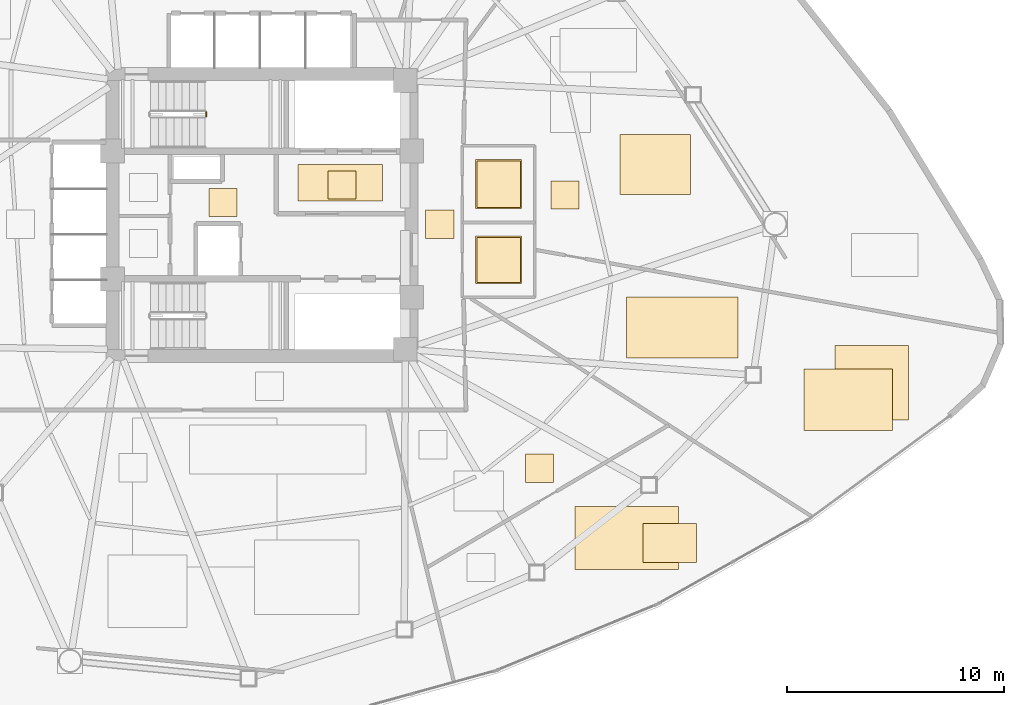
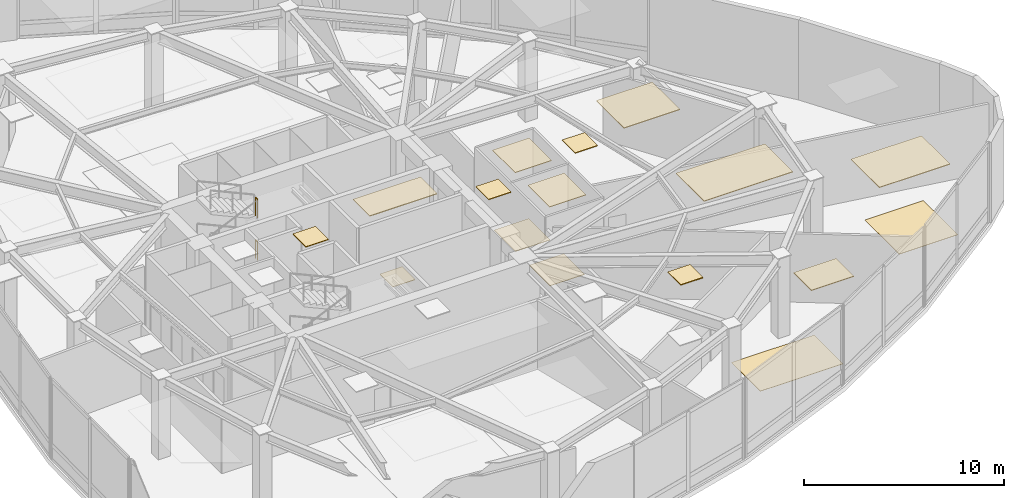
# One storey, part 13 of 14: 16 coverings, 2 railings.
"""IFC4 building model written with IfcOpenShell, lengths in metres."""

from ifc_helpers import new_model, si_unit, direction, frame, origin, origin_2d, place, context, subcontext, project, spatial, polyline, rectangle, outline, extrude, material, layer, layer_set, type_object, element, save


model = new_model("IFC4")

# Units and contexts
model_context = context("Model", 3, precision=1e-05, world=origin(), true_north=direction((0.0, 1.0)))
body_context = subcontext(model_context, "Body", "Model", "MODEL_VIEW")
ifc_project = project(units=[si_unit("LENGTHUNIT", "METRE"), si_unit("AREAUNIT", "SQUARE_METRE"), si_unit("VOLUMEUNIT", "CUBIC_METRE"), si_unit("PLANEANGLEUNIT", "RADIAN"), si_unit("MASSUNIT", "GRAM", prefix="KILO")], contexts=[model_context])

# Site, building, storey
site_placement = place(None, origin())
site = spatial("IfcSite", under=ifc_project, at=site_placement, CompositionType="ELEMENT")
building_placement = place(site_placement, origin())
building = spatial("IfcBuilding", under=site, at=building_placement, Name="Tavelor Broadcast Tower", CompositionType="ELEMENT")
storey_placement = place(building_placement, frame((0.0, 0.0, 110.39990234375)))
storey = spatial("IfcBuildingStorey", under=building, at=storey_placement, Name="L25", CompositionType="ELEMENT", Elevation=110.39990234375)

# Coverings
ifc_material_1 = material(Name="Copper-Bronze Anodized Aluminium", Category="aluminium")
ifc_layer_1 = layer(ifc_material_1, 0.044921875)
ifc_layer_set_1 = layer_set([ifc_layer_1], Name="Copper-Bronze Anodized Aluminium")
covering_type_1 = type_object("IfcCoveringType", Name="Anodised Bronze Linear Slatted Concourse Ceiling 45 mm", PredefinedType="CEILING", material=ifc_layer_set_1)
covering_1_placement = place(storey_placement, frame((0.0, 0.0, 4.85498046875)))
element("IfcCovering", 1, at=covering_1_placement, inside=storey, type_object=covering_type_1, Name="L25 Suspended Acoustic Ceiling 0967", PredefinedType="CEILING", context=body_context, shape_type="SweptSolid", body=[
    extrude(outline(polyline([(51.659912109375, 45.654296875), (55.55712890625, 45.654296875), (55.55712890625, 47.331787109375), (51.659912109375, 47.331787109375), (51.659912109375, 45.654296875)])), origin(), (0.0, 0.0, 1.0), 0.045166015625),
])
covering_2_placement = place(storey_placement, frame((0.0, 0.0, 4.85498046875)))
element("IfcCovering", 2, at=covering_2_placement, inside=storey, type_object=covering_type_1, Name="L25 Suspended Acoustic Ceiling 0968", PredefinedType="CEILING", context=body_context, shape_type="SweptSolid", body=[
    extrude(outline(polyline([(47.5400390625, 44.919921875), (48.840087890625, 44.919921875), (48.840087890625, 46.219970703125), (47.5400390625, 46.219970703125), (47.5400390625, 44.919921875)])), origin(), (0.0, 0.0, 1.0), 0.045166015625),
])
covering_3_placement = place(storey_placement, frame((0.0, 0.0, 4.85498046875)))
element("IfcCovering", 3, at=covering_3_placement, inside=storey, type_object=covering_type_1, Name="L25 Suspended Acoustic Ceiling 0971", PredefinedType="CEILING", context=body_context, shape_type="SweptSolid", body=[
    extrude(outline(polyline([(57.5400390625, 43.925048828125), (58.840087890625, 43.925048828125), (58.840087890625, 45.22509765625), (57.5400390625, 45.22509765625), (57.5400390625, 43.925048828125)])), origin(), (0.0, 0.0, 1.0), 0.045166015625),
])
ifc_material_2 = material(Name="Acoustic Nylon Carpet Tile")
ifc_layer_2 = layer(ifc_material_2, 0.02001953125)
ifc_layer_set_2 = layer_set([ifc_layer_2], Name="Acoustic Nylon Carpet Tile")
covering_type_2 = type_object("IfcCoveringType", Name="Heavy-Duty Acoustic Broadcast Carpet Tile 20 mm", PredefinedType="FLOORING", material=ifc_layer_set_2)
covering_4_placement = place(storey_placement, origin())
element("IfcCovering", 4, at=covering_4_placement, inside=storey, type_object=covering_type_2, Name="L25 Broadcast Floor Finish 0346", PredefinedType="FLOORING", context=body_context, shape_type="SweptSolid", body=[
    extrude(outline(polyline([(76.43701171875, 35.536865234375), (79.826416015625, 35.536865234375), (79.826416015625, 38.983642578125), (76.43701171875, 38.983642578125), (76.43701171875, 35.536865234375)])), origin(), (0.0, 0.0, 1.0), 0.02001953125),
])
covering_5_placement = place(storey_placement, origin())
element("IfcCovering", 5, at=covering_5_placement, inside=storey, type_object=covering_type_2, Name="L25 Broadcast Floor Finish 0347", PredefinedType="FLOORING", context=body_context, shape_type="SweptSolid", body=[
    extrude(outline(polyline([(64.427001953125, 28.64892578125), (69.218505859375, 28.64892578125), (69.218505859375, 31.548828125), (64.427001953125, 31.548828125), (64.427001953125, 28.64892578125)])), origin(), (0.0, 0.0, 1.0), 0.02001953125),
])
ifc_material_3 = material(Name="Honed Natural Limestone Tile", Category="masonry")
ifc_layer_3 = layer(ifc_material_3, 0.030029296875)
ifc_layer_set_3 = layer_set([ifc_layer_3], Name="Honed Natural Limestone Tile")
covering_type_3 = type_object("IfcCoveringType", Name="Honed Jerusalem Limestone Concourse Flooring 30 mm", PredefinedType="FLOORING", material=ifc_layer_set_3)
covering_6_placement = place(storey_placement, origin())
element("IfcCovering", 6, at=covering_6_placement, inside=storey, type_object=covering_type_3, Name="L25 Broadcast Floor Finish 0341", PredefinedType="FLOORING", context=body_context, shape_type="SweptSolid", body=[
    extrude(outline(polyline([(53.030029296875, 45.728515625), (54.330078125, 45.728515625), (54.330078125, 47.028564453125), (53.030029296875, 47.028564453125), (53.030029296875, 45.728515625)])), origin(), (0.0, 0.0, 1.0), 0.030029296875),
])
ifc_material_4 = material(Name="Acoustic Perforated Timber Baffle", Category="wood")
ifc_layer_4 = layer(ifc_material_4, 0.054931640625)
ifc_layer_set_4 = layer_set([ifc_layer_4], Name="Acoustic Perforated Timber Baffle")
covering_type_4 = type_object("IfcCoveringType", Name="Micro-Perforated Acoustic Baffle Studio Ceiling 55 mm", PredefinedType="CEILING", material=ifc_layer_set_4)
covering_7_placement = place(storey_placement, frame((0.0, 0.0, 4.84521484375)))
element("IfcCovering", 7, at=covering_7_placement, inside=storey, type_object=covering_type_4, Name="L25 Suspended Acoustic Ceiling 1002", PredefinedType="CEILING", context=body_context, shape_type="SweptSolid", body=[
    extrude(outline(polyline([(62.14013671875, 32.6630859375), (63.440185546875, 32.6630859375), (63.440185546875, 33.963134765625), (62.14013671875, 33.963134765625), (62.14013671875, 32.6630859375)])), origin(), (0.0, 0.0, 1.0), 0.054931640625),
])
ifc_material_5 = material(Name="Architectural Anodized Aluminium", Category="aluminium")
ifc_layer_5 = layer(ifc_material_5, 0.030029296875)
ifc_layer_set_5 = layer_set([ifc_layer_5], Name="Architectural Anodized Aluminium")
covering_type_5 = type_object("IfcCoveringType", Name="Moisture-Resistant Washroom Ceiling 30 mm", PredefinedType="CEILING", material=ifc_layer_set_5)
covering_8_placement = place(storey_placement, frame((0.0, 0.0, 4.8701171875)))
element("IfcCovering", 8, at=covering_8_placement, inside=storey, type_object=covering_type_5, Name="L25 Suspended Acoustic Ceiling 0973", PredefinedType="CEILING", context=body_context, shape_type="SweptSolid", body=[
    extrude(outline(polyline([(59.85302734375, 41.828369140625), (61.967041015625, 41.828369140625), (61.967041015625, 44.021484375), (59.85302734375, 44.021484375), (59.85302734375, 41.828369140625)])), origin(), (0.0, 0.0, 1.0), 0.030029296875),
])
covering_9_placement = place(storey_placement, frame((0.0, 0.0, 4.8701171875)))
element("IfcCovering", 9, at=covering_9_placement, inside=storey, type_object=covering_type_5, Name="L25 Suspended Acoustic Ceiling 0974", PredefinedType="CEILING", context=body_context, shape_type="SweptSolid", body=[
    extrude(outline(polyline([(59.85302734375, 45.29248046875), (61.967041015625, 45.29248046875), (61.967041015625, 47.5576171875), (59.85302734375, 47.5576171875), (59.85302734375, 45.29248046875)])), origin(), (0.0, 0.0, 1.0), 0.030029296875),
])
ifc_material_6 = material(Name="Slip-Resistant Porcelain Tile")
ifc_layer_6 = layer(ifc_material_6, 0.02490234375)
ifc_layer_set_6 = layer_set([ifc_layer_6], Name="Slip-Resistant Porcelain Tile")
covering_type_6 = type_object("IfcCoveringType", Name="Slip-Resistant Porcelain Wet-Area Floor Tile 25 mm", PredefinedType="FLOORING", material=ifc_layer_set_6)
covering_10_placement = place(storey_placement, origin())
element("IfcCovering", 10, at=covering_10_placement, inside=storey, type_object=covering_type_6, Name="L25 Broadcast Floor Finish 0343", PredefinedType="FLOORING", context=body_context, shape_type="SweptSolid", body=[
    extrude(outline(polyline([(59.91064453125, 41.885986328125), (61.909423828125, 41.885986328125), (61.909423828125, 43.964111328125), (59.91064453125, 43.964111328125), (59.91064453125, 41.885986328125)])), origin(), (0.0, 0.0, 1.0), 0.025146484375),
])
covering_11_placement = place(storey_placement, origin())
element("IfcCovering", 11, at=covering_11_placement, inside=storey, type_object=covering_type_6, Name="L25 Broadcast Floor Finish 0344", PredefinedType="FLOORING", context=body_context, shape_type="SweptSolid", body=[
    extrude(outline(polyline([(59.91064453125, 45.35009765625), (61.909423828125, 45.35009765625), (61.909423828125, 47.5), (59.91064453125, 47.5), (59.91064453125, 45.35009765625)])), origin(), (0.0, 0.0, 1.0), 0.025146484375),
])

# Railings
ifc_material_7 = material(Name="Steel S355", Category="steel")
railing_type = type_object("IfcRailingType", Name="Stairwell Steel Safety Guardrail 1150 mm", PredefinedType="GUARDRAIL", material=ifc_material_7)
for number, where, name in (
    (12, (47.419921875, 49.550048828125, 1.300048828125), "L25 ST1 stair guard 2"),
    (13, (47.419921875, 49.550048828125, 3.900146484375), "L25 ST1 stair guard 6"),
):
    element("IfcRailing", number, at=place(storey_placement, frame(where)), inside=storey, type_object=railing_type, Name=name, PredefinedType="GUARDRAIL", context=body_context, shape_type="SweptSolid", body=[
        extrude(rectangle(XDim=0.048095703125, YDim=0.048095703125, at=origin_2d()), frame((0.0, 0.0, 1.1259765625), z_axis=(0.0, 1.0, 0.0), x_axis=(-1.0, 0.0, 0.0)), (0.0, 0.0, 1.0), 0.199951171875),
        extrude(rectangle(XDim=0.0419921875, YDim=0.0419921875, at=origin_2d()), origin(), (0.0, 0.0, 1.0), 1.101806640625),
        extrude(rectangle(XDim=0.0419921875, YDim=0.0419921875, at=origin_2d()), frame((0.0, 0.199951171875, 0.0)), (0.0, 0.0, 1.0), 1.101806640625),
    ])

# Coverings
ifc_material_8 = material(Name="Acoustic Mineral Fibre Tile")
ifc_layer_7 = layer(ifc_material_8, 0.0400390625)
ifc_layer_set_7 = layer_set([ifc_layer_7], Name="Acoustic Mineral Fibre Tile")
covering_type_7 = type_object("IfcCoveringType", Name="Suspended Acoustic Mineral-Fibre Office Ceiling 40 mm", PredefinedType="CEILING", material=ifc_layer_set_7)
covering_12_placement = place(storey_placement, frame((0.0, 0.0, 4.860107421875)))
element("IfcCovering", 14, at=covering_12_placement, inside=storey, type_object=covering_type_7, Name="L25 Suspended Acoustic Ceiling 0977", PredefinedType="CEILING", context=body_context, shape_type="SweptSolid", body=[
    extrude(outline(polyline([(66.521484375, 45.94140625), (69.76220703125, 45.94140625), (69.76220703125, 48.703369140625), (66.521484375, 48.703369140625), (66.521484375, 45.94140625)])), origin(), (0.0, 0.0, 1.0), 0.0400390625),
])
covering_13_placement = place(storey_placement, frame((0.0, 0.0, 4.860107421875)))
element("IfcCovering", 15, at=covering_13_placement, inside=storey, type_object=covering_type_7, Name="L25 Suspended Acoustic Ceiling 0979", PredefinedType="CEILING", context=body_context, shape_type="SweptSolid", body=[
    extrude(outline(polyline([(63.317626953125, 45.276611328125), (64.61767578125, 45.276611328125), (64.61767578125, 46.576416015625), (63.317626953125, 46.576416015625), (63.317626953125, 45.276611328125)])), origin(), (0.0, 0.0, 1.0), 0.0400390625),
])
covering_14_placement = place(storey_placement, frame((0.0, 0.0, 4.860107421875)))
element("IfcCovering", 16, at=covering_14_placement, inside=storey, type_object=covering_type_7, Name="L25 Suspended Acoustic Ceiling 0980", PredefinedType="CEILING", context=body_context, shape_type="SweptSolid", body=[
    extrude(outline(polyline([(75.006103515625, 35.047607421875), (79.093017578125, 35.047607421875), (79.093017578125, 37.8955078125), (75.006103515625, 37.8955078125), (75.006103515625, 35.047607421875)])), origin(), (0.0, 0.0, 1.0), 0.0400390625),
])
covering_15_placement = place(storey_placement, frame((0.0, 0.0, 4.860107421875)))
element("IfcCovering", 17, at=covering_15_placement, inside=storey, type_object=covering_type_7, Name="L25 Suspended Acoustic Ceiling 0981", PredefinedType="CEILING", context=body_context, shape_type="SweptSolid", body=[
    extrude(outline(polyline([(66.80712890625, 38.405029296875), (71.948974609375, 38.405029296875), (71.948974609375, 41.213623046875), (66.80712890625, 41.213623046875), (66.80712890625, 38.405029296875)])), origin(), (0.0, 0.0, 1.0), 0.0400390625),
])
covering_16_placement = place(storey_placement, frame((0.0, 0.0, 4.860107421875)))
element("IfcCovering", 18, at=covering_16_placement, inside=storey, type_object=covering_type_7, Name="L25 Suspended Acoustic Ceiling 0982", PredefinedType="CEILING", context=body_context, shape_type="SweptSolid", body=[
    extrude(outline(polyline([(67.564208984375, 28.96826171875), (70.03076171875, 28.96826171875), (70.03076171875, 30.756591796875), (67.564208984375, 30.756591796875), (67.564208984375, 28.96826171875)])), origin(), (0.0, 0.0, 1.0), 0.0400390625),
])

save(model, "model.ifc")
